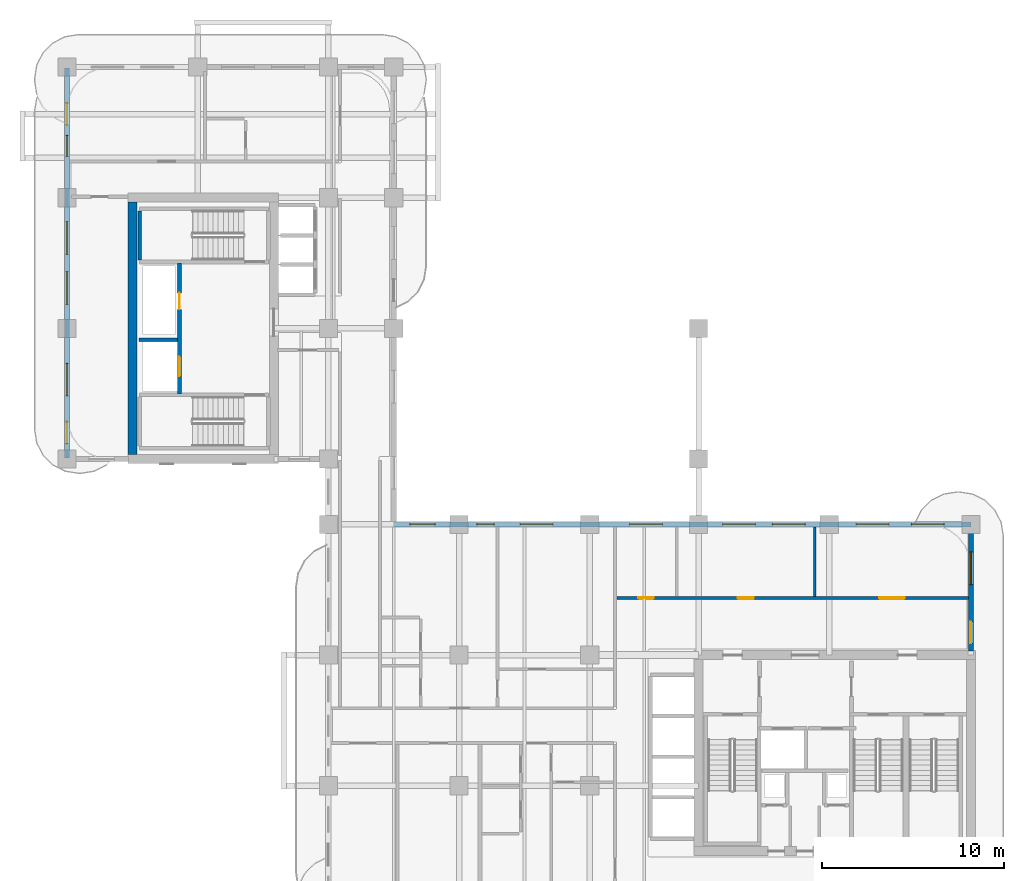
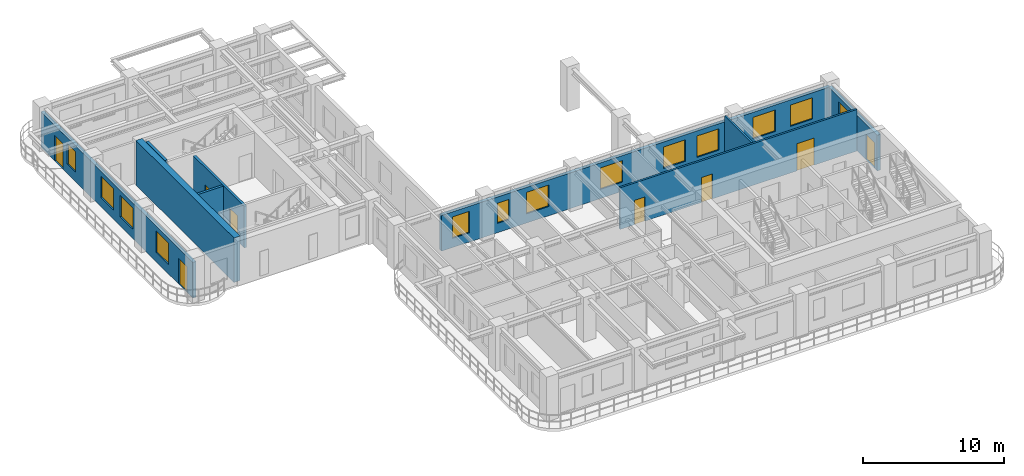
# One storey, part 7 of 14: 13 windows, 9 walls, 8 doors, 21 openings.
"""IFC4 building model written with IfcOpenShell, lengths in metres."""

from ifc_helpers import new_model, si_unit, derived_unit, direction, frame, frame_2d, origin, place, context, subcontext, project, spatial, rectangle, extrude, source, transform, mapped, material, layer, layer_set, type_object, type_shapes, element, fill, save


model = new_model("IFC4")

# Units and contexts
model_context = context("Model", 3, precision=1e-05, world=origin(), true_north=direction((0.0, 1.0)))
body_context = subcontext(model_context, "Body", "Model", "MODEL_VIEW")
ifc_project = project(units=[si_unit("LENGTHUNIT", "METRE"), si_unit("AREAUNIT", "SQUARE_METRE"), si_unit("VOLUMEUNIT", "CUBIC_METRE"), si_unit("PLANEANGLEUNIT", "RADIAN"), si_unit("MASSUNIT", "GRAM", prefix="KILO"), si_unit("THERMODYNAMICTEMPERATUREUNIT", "KELVIN"), si_unit("POWERUNIT", "WATT"), derived_unit("THERMALTRANSMITTANCEUNIT", [(si_unit("POWERUNIT", "WATT"), 1), (si_unit("AREAUNIT", "SQUARE_METRE"), -1), (si_unit("THERMODYNAMICTEMPERATUREUNIT", "KELVIN"), -1)])], contexts=[model_context])

# Site, building, storey
site_placement = place(None, origin())
site = spatial("IfcSite", under=ifc_project, at=site_placement, CompositionType="ELEMENT")
building_placement = place(site_placement, origin())
building = spatial("IfcBuilding", under=site, at=building_placement, Name="Zahravan Archway Hotel and Residences", CompositionType="ELEMENT")
storey_placement = place(building_placement, frame((0.0, 0.0, 188.800048828125)))
storey = spatial("IfcBuildingStorey", under=building, at=storey_placement, Name="L47", CompositionType="ELEMENT", Elevation=188.800048828125)

# Wall
ifc_material_1 = material(Name="Concrete C60/75", Category="concrete")
ifc_layer_1 = layer(ifc_material_1, 0.5, Name="Concrete C60/75", Category="concrete")
ifc_layer_set_1 = layer_set([ifc_layer_1], Name="Concrete C60/75")
wall_type_1 = type_object("IfcWallType", Name="CW-CORE-500", PredefinedType="SHEAR", material=ifc_layer_set_1)
wall_1_placement = place(storey_placement, frame((3.60009765625, 25.449951171875, 0.0), z_axis=(0.0, 0.0, 1.0), x_axis=(0.0, 1.0, 0.0)))
element("IfcWall", 1, at=wall_1_placement, inside=storey, type_object=wall_type_1, Name="L47 Core B Shear W Wall 500 mm", PredefinedType="SHEAR", context=body_context, shape_type="SweptSolid", body=[
    extrude(rectangle(XDim=13.900146484375, YDim=0.5, at=frame_2d((6.9501953125, 0.0))), origin(), (0.0, 0.0, 1.0), 3.849853515625),
])

# Wall, openings, door, window
ifc_material_2 = material(Name="Honed Red-Ochre Sandstone & Insulated Block", Category="masonry")
ifc_layer_2 = layer(ifc_material_2, 0.280029296875, Name="Honed Red-Ochre Sandstone & Insulated Block", Category="masonry")
ifc_layer_set_2 = layer_set([ifc_layer_2], Name="Honed Red-Ochre Sandstone & Insulated Block")
wall_type_2 = type_object("IfcWallType", Name="EW-LOG-280", PredefinedType="SOLIDWALL", material=ifc_layer_set_2)
wall_2_placement = place(storey_placement, frame((49.800048828125, 14.6201171875, 0.0), z_axis=(0.0, 0.0, 1.0), x_axis=(0.0, 1.0, 0.0)))
wall_2 = element("IfcWall", 2, at=wall_2_placement, inside=storey, type_object=wall_type_2, Name="L47 Exterior Sandstone Wall WA-EN", PredefinedType="SOLIDWALL", context=body_context, shape_type="SweptSolid", body=[
    extrude(rectangle(XDim=6.929931640625, YDim=0.280029296875, at=frame_2d((3.46484375, 0.0))), origin(), (0.0, 0.0, 1.0), 3.0849609375),
])
opening_1_placement = place(wall_2_placement, frame((0.419921875, 0.0, 0.0)))
opening_1 = element("IfcOpeningElement", 3, at=opening_1_placement, cuts=wall_2, Name="Opening ED-BL1", PredefinedType="OPENING", context=body_context, shape_type="SweptSolid", body=[
    extrude(rectangle(XDim=1.199951171875, YDim=2.199951171875, at=frame_2d((0.60009765625, 1.10009765625))), frame((0.0, 0.14990234375, 0.0), z_axis=(0.0, -1.0, 0.0), x_axis=(1.0, 0.0, 0.0)), (0.0, 0.0, 1.0), 0.300048828125),
])
opening_2_placement = place(wall_2_placement, frame((3.658935546875, 0.0, 0.800048828125)))
opening_2 = element("IfcOpeningElement", 4, at=opening_2_placement, cuts=wall_2, Name="Opening W-02", PredefinedType="OPENING", context=body_context, shape_type="SweptSolid", body=[
    extrude(rectangle(XDim=1.800048828125, YDim=1.85009765625, at=frame_2d((0.89990234375, 0.925048828125))), frame((0.0, 0.14990234375, 0.0), z_axis=(0.0, -1.0, 0.0), x_axis=(1.0, 0.0, 0.0)), (0.0, 0.0, 1.0), 0.300048828125),
])
ifc_material_3 = material(Name="Bronze-Anodized Glazed Aluminium", Category="aluminium")
door_type_1 = type_object("IfcDoorType", Name="ED-BALC-1200", OperationType="SLIDING_TO_LEFT", PredefinedType="DOOR", material=ifc_material_3)
shared_shape_1 = source(origin(), body_context, "Body", "SweptSolid", [
    extrude(rectangle(XDim=1.199951171875, YDim=2.199951171875, at=frame_2d((0.60009765625, 1.10009765625))), frame((0.0, 0.02490234375, 0.0), z_axis=(0.0, -1.0, 0.0), x_axis=(1.0, 0.0, 0.0)), (0.0, 0.0, 1.0), 0.050048828125),
])
type_shapes(door_type_1, [shared_shape_1])
door_1_placement = place(opening_1_placement, origin())
door_1 = element("IfcDoor", 5, at=door_1_placement, inside=storey, type_object=door_type_1, Name="L47 Outdoor Access Sliding Door (SLB-BAL-L47-EA)", OperationType="SLIDING_TO_LEFT", OverallHeight=2.199951171875, OverallWidth=1.199951171875, PredefinedType="DOOR", context=body_context, shape_type="MappedRepresentation", body=[
    mapped(shared_shape_1, transform((0.0, 0.0, 0.0), scale=1.0)),
])
fill(opening_1, door_1)
ifc_material_4 = material(Name="Bronze-Anodized Thermal-Break Aluminium & Low-E Glass", Category="aluminium")
window_type_1 = type_object("IfcWindowType", Name="WIN-TWR-1800", PartitioningType="DOUBLE_PANEL_VERTICAL", PredefinedType="WINDOW", material=ifc_material_4)
shared_shape_2 = source(origin(), body_context, "Body", "SweptSolid", [
    extrude(rectangle(XDim=1.800048828125, YDim=1.85009765625, at=frame_2d((0.89990234375, 0.925048828125))), frame((0.0, 0.030029296875, 0.0), z_axis=(0.0, -1.0, 0.0), x_axis=(1.0, 0.0, 0.0)), (0.0, 0.0, 1.0), 0.06005859375),
])
type_shapes(window_type_1, [shared_shape_2])
window_1_placement = place(opening_2_placement, origin())
window_1 = element("IfcWindow", 6, at=window_1_placement, inside=storey, type_object=window_type_1, Name="L47 Loggia Window 10", OverallHeight=1.85009765625, OverallWidth=1.800048828125, PartitioningType="DOUBLE_PANEL_VERTICAL", PredefinedType="WINDOW", context=body_context, shape_type="MappedRepresentation", body=[
    mapped(shared_shape_2, transform((0.0, 0.0, 0.0), scale=1.0)),
])
fill(opening_2, window_1)

# Wall, openings, windows
wall_3_placement = place(storey_placement, frame((18.0, 21.60009765625, 0.0), z_axis=(0.0, 0.0, 1.0), x_axis=(1.0, 0.0, 0.0)))
wall_3 = element("IfcWall", 7, at=wall_3_placement, inside=storey, type_object=wall_type_2, Name="L47 Exterior Sandstone Wall WA-NE", PredefinedType="SOLIDWALL", context=body_context, shape_type="SweptSolid", body=[
    extrude(rectangle(XDim=31.800048828125, YDim=0.280029296875, at=frame_2d((15.89990234375, 0.0))), origin(), (0.0, 0.0, 1.0), 3.0849609375),
])
opening_3_placement = place(wall_3_placement, frame((0.885009765625, 0.0, 0.800048828125)))
opening_3 = element("IfcOpeningElement", 8, at=opening_3_placement, cuts=wall_3, Name="Opening W-03", PredefinedType="OPENING", context=body_context, shape_type="SweptSolid", body=[
    extrude(rectangle(XDim=1.39990234375, YDim=1.85009765625, at=frame_2d((0.699951171875, 0.925048828125))), frame((0.0, 0.14990234375, 0.0), z_axis=(0.0, -1.0, 0.0), x_axis=(1.0, 0.0, 0.0)), (0.0, 0.0, 1.0), 0.300048828125),
])
opening_4_placement = place(wall_3_placement, frame((4.5810546875, 0.0, 0.800048828125)))
opening_4 = element("IfcOpeningElement", 9, at=opening_4_placement, cuts=wall_3, Name="Opening W-04", PredefinedType="OPENING", context=body_context, shape_type="SweptSolid", body=[
    extrude(rectangle(XDim=0.949951171875, YDim=1.75, at=frame_2d((0.47509765625, 0.875))), frame((0.0, 0.14990234375, 0.0), z_axis=(0.0, -1.0, 0.0), x_axis=(1.0, 0.0, 0.0)), (0.0, 0.0, 1.0), 0.300048828125),
])
opening_5_placement = place(wall_3_placement, frame((6.964111328125, 0.0, 0.800048828125)))
opening_5 = element("IfcOpeningElement", 10, at=opening_5_placement, cuts=wall_3, Name="Opening W-02", PredefinedType="OPENING", context=body_context, shape_type="SweptSolid", body=[
    extrude(rectangle(XDim=1.800048828125, YDim=1.85009765625, at=frame_2d((0.89990234375, 0.925048828125))), frame((0.0, 0.14990234375, 0.0), z_axis=(0.0, -1.0, 0.0), x_axis=(1.0, 0.0, 0.0)), (0.0, 0.0, 1.0), 0.300048828125),
])
opening_6_placement = place(wall_3_placement, frame((13.0009765625, 0.0, 0.800048828125)))
opening_6 = element("IfcOpeningElement", 11, at=opening_6_placement, cuts=wall_3, Name="Opening W-02", PredefinedType="OPENING", context=body_context, shape_type="SweptSolid", body=[
    extrude(rectangle(XDim=1.800048828125, YDim=1.85009765625, at=frame_2d((0.89990234375, 0.925048828125))), frame((0.0, 0.14990234375, 0.0), z_axis=(0.0, -1.0, 0.0), x_axis=(1.0, 0.0, 0.0)), (0.0, 0.0, 1.0), 0.300048828125),
])
opening_7_placement = place(wall_3_placement, frame((18.123046875, 0.0, 0.800048828125)))
opening_7 = element("IfcOpeningElement", 12, at=opening_7_placement, cuts=wall_3, Name="Opening W-02", PredefinedType="OPENING", context=body_context, shape_type="SweptSolid", body=[
    extrude(rectangle(XDim=1.800048828125, YDim=1.85009765625, at=frame_2d((0.89990234375, 0.925048828125))), frame((0.0, 0.14990234375, 0.0), z_axis=(0.0, -1.0, 0.0), x_axis=(1.0, 0.0, 0.0)), (0.0, 0.0, 1.0), 0.300048828125),
])
opening_8_placement = place(wall_3_placement, frame((20.868896484375, 0.0, 0.800048828125)))
opening_8 = element("IfcOpeningElement", 13, at=opening_8_placement, cuts=wall_3, Name="Opening W-02", PredefinedType="OPENING", context=body_context, shape_type="SweptSolid", body=[
    extrude(rectangle(XDim=1.800048828125, YDim=1.85009765625, at=frame_2d((0.89990234375, 0.925048828125))), frame((0.0, 0.14990234375, 0.0), z_axis=(0.0, -1.0, 0.0), x_axis=(1.0, 0.0, 0.0)), (0.0, 0.0, 1.0), 0.300048828125),
])
opening_9_placement = place(wall_3_placement, frame((25.47509765625, 0.0, 0.800048828125)))
opening_9 = element("IfcOpeningElement", 14, at=opening_9_placement, cuts=wall_3, Name="Opening W-02", PredefinedType="OPENING", context=body_context, shape_type="SweptSolid", body=[
    extrude(rectangle(XDim=1.800048828125, YDim=1.85009765625, at=frame_2d((0.89990234375, 0.925048828125))), frame((0.0, 0.14990234375, 0.0), z_axis=(0.0, -1.0, 0.0), x_axis=(1.0, 0.0, 0.0)), (0.0, 0.0, 1.0), 0.300048828125),
])
opening_10_placement = place(wall_3_placement, frame((28.52490234375, 0.0, 0.800048828125)))
opening_10 = element("IfcOpeningElement", 15, at=opening_10_placement, cuts=wall_3, Name="Opening W-02", PredefinedType="OPENING", context=body_context, shape_type="SweptSolid", body=[
    extrude(rectangle(XDim=1.800048828125, YDim=1.85009765625, at=frame_2d((0.89990234375, 0.925048828125))), frame((0.0, 0.14990234375, 0.0), z_axis=(0.0, -1.0, 0.0), x_axis=(1.0, 0.0, 0.0)), (0.0, 0.0, 1.0), 0.300048828125),
])
window_type_2 = type_object("IfcWindowType", Name="WIN-TWR-1400", PartitioningType="SINGLE_PANEL", PredefinedType="WINDOW", material=ifc_material_4)
shared_shape_3 = source(origin(), body_context, "Body", "SweptSolid", [
    extrude(rectangle(XDim=1.39990234375, YDim=1.85009765625, at=frame_2d((0.699951171875, 0.925048828125))), frame((0.0, 0.030029296875, 0.0), z_axis=(0.0, -1.0, 0.0), x_axis=(1.0, 0.0, 0.0)), (0.0, 0.0, 1.0), 0.06005859375),
])
type_shapes(window_type_2, [shared_shape_3])
window_2_placement = place(opening_3_placement, origin())
window_2 = element("IfcWindow", 16, at=window_2_placement, inside=storey, type_object=window_type_2, Name="L47 Loggia Window 11", OverallHeight=1.85009765625, OverallWidth=1.39990234375, PartitioningType="SINGLE_PANEL", PredefinedType="WINDOW", context=body_context, shape_type="MappedRepresentation", body=[
    mapped(shared_shape_3, transform((0.0, 0.0, 0.0), scale=1.0)),
])
fill(opening_3, window_2)
window_type_3 = type_object("IfcWindowType", Name="WIN-NAR-950", PartitioningType="SINGLE_PANEL", PredefinedType="WINDOW", material=ifc_material_4)
shared_shape_4 = source(origin(), body_context, "Body", "SweptSolid", [
    extrude(rectangle(XDim=0.949951171875, YDim=1.75, at=frame_2d((0.47509765625, 0.875))), frame((0.0, 0.030029296875, 0.0), z_axis=(0.0, -1.0, 0.0), x_axis=(1.0, 0.0, 0.0)), (0.0, 0.0, 1.0), 0.06005859375),
])
type_shapes(window_type_3, [shared_shape_4])
window_3_placement = place(opening_4_placement, origin())
window_3 = element("IfcWindow", 17, at=window_3_placement, inside=storey, type_object=window_type_3, Name="L47 Loggia Window 12", OverallHeight=1.75, OverallWidth=0.949951171875, PartitioningType="SINGLE_PANEL", PredefinedType="WINDOW", context=body_context, shape_type="MappedRepresentation", body=[
    mapped(shared_shape_4, transform((0.0, 0.0, 0.0), scale=1.0)),
])
fill(opening_4, window_3)
window_4_placement = place(opening_5_placement, origin())
window_4 = element("IfcWindow", 18, at=window_4_placement, inside=storey, type_object=window_type_1, Name="L47 Loggia Window 13", OverallHeight=1.85009765625, OverallWidth=1.800048828125, PartitioningType="DOUBLE_PANEL_VERTICAL", PredefinedType="WINDOW", context=body_context, shape_type="MappedRepresentation", body=[
    mapped(shared_shape_2, transform((0.0, 0.0, 0.0), scale=1.0)),
])
fill(opening_5, window_4)
window_5_placement = place(opening_6_placement, origin())
window_5 = element("IfcWindow", 19, at=window_5_placement, inside=storey, type_object=window_type_1, Name="L47 Loggia Window 14", OverallHeight=1.85009765625, OverallWidth=1.800048828125, PartitioningType="DOUBLE_PANEL_VERTICAL", PredefinedType="WINDOW", context=body_context, shape_type="MappedRepresentation", body=[
    mapped(shared_shape_2, transform((0.0, 0.0, 0.0), scale=1.0)),
])
fill(opening_6, window_5)
window_6_placement = place(opening_7_placement, origin())
window_6 = element("IfcWindow", 20, at=window_6_placement, inside=storey, type_object=window_type_1, Name="L47 Loggia Window 15", OverallHeight=1.85009765625, OverallWidth=1.800048828125, PartitioningType="DOUBLE_PANEL_VERTICAL", PredefinedType="WINDOW", context=body_context, shape_type="MappedRepresentation", body=[
    mapped(shared_shape_2, transform((0.0, 0.0, 0.0), scale=1.0)),
])
fill(opening_7, window_6)
window_7_placement = place(opening_8_placement, origin())
window_7 = element("IfcWindow", 21, at=window_7_placement, inside=storey, type_object=window_type_1, Name="L47 Loggia Window 16", OverallHeight=1.85009765625, OverallWidth=1.800048828125, PartitioningType="DOUBLE_PANEL_VERTICAL", PredefinedType="WINDOW", context=body_context, shape_type="MappedRepresentation", body=[
    mapped(shared_shape_2, transform((0.0, 0.0, 0.0), scale=1.0)),
])
fill(opening_8, window_7)
window_8_placement = place(opening_9_placement, origin())
window_8 = element("IfcWindow", 22, at=window_8_placement, inside=storey, type_object=window_type_1, Name="L47 Loggia Window 17", OverallHeight=1.85009765625, OverallWidth=1.800048828125, PartitioningType="DOUBLE_PANEL_VERTICAL", PredefinedType="WINDOW", context=body_context, shape_type="MappedRepresentation", body=[
    mapped(shared_shape_2, transform((0.0, 0.0, 0.0), scale=1.0)),
])
fill(opening_9, window_8)
window_9_placement = place(opening_10_placement, origin())
window_9 = element("IfcWindow", 23, at=window_9_placement, inside=storey, type_object=window_type_1, Name="L47 Loggia Window 18", OverallHeight=1.85009765625, OverallWidth=1.800048828125, PartitioningType="DOUBLE_PANEL_VERTICAL", PredefinedType="WINDOW", context=body_context, shape_type="MappedRepresentation", body=[
    mapped(shared_shape_2, transform((0.0, 0.0, 0.0), scale=1.0)),
])
fill(opening_10, window_9)

# Wall, openings, doors, windows
wall_4_placement = place(storey_placement, frame((0.0, 25.25, 0.0), z_axis=(0.0, 0.0, 1.0), x_axis=(0.0, 1.0, 0.0)))
wall_4 = element("IfcWall", 24, at=wall_4_placement, inside=storey, type_object=wall_type_2, Name="L47 Exterior Sandstone Wall WB-W", PredefinedType="SOLIDWALL", context=body_context, shape_type="SweptSolid", body=[
    extrude(rectangle(XDim=21.5, YDim=0.280029296875, at=frame_2d((10.75, 0.0))), origin(), (0.0, 0.0, 1.0), 3.0849609375),
])
opening_11_placement = place(wall_4_placement, frame((18.35693359375, 0.0, 0.0)))
opening_11 = element("IfcOpeningElement", 25, at=opening_11_placement, cuts=wall_4, Name="Opening ED-BL1", PredefinedType="OPENING", context=body_context, shape_type="SweptSolid", body=[
    extrude(rectangle(XDim=1.199951171875, YDim=2.199951171875, at=frame_2d((0.60009765625, 1.10009765625))), frame((0.0, 0.14990234375, 0.0), z_axis=(0.0, -1.0, 0.0), x_axis=(1.0, 0.0, 0.0)), (0.0, 0.0, 1.0), 0.300048828125),
])
opening_12_placement = place(wall_4_placement, frame((0.800048828125, 0.0, 0.0)))
opening_12 = element("IfcOpeningElement", 26, at=opening_12_placement, cuts=wall_4, Name="Opening ED-BL1", PredefinedType="OPENING", context=body_context, shape_type="SweptSolid", body=[
    extrude(rectangle(XDim=1.199951171875, YDim=2.199951171875, at=frame_2d((0.60009765625, 1.10009765625))), frame((0.0, 0.14990234375, 0.0), z_axis=(0.0, -1.0, 0.0), x_axis=(1.0, 0.0, 0.0)), (0.0, 0.0, 1.0), 0.300048828125),
])
opening_13_placement = place(wall_4_placement, frame((3.425048828125, 0.0, 0.800048828125)))
opening_13 = element("IfcOpeningElement", 27, at=opening_13_placement, cuts=wall_4, Name="Opening W-02", PredefinedType="OPENING", context=body_context, shape_type="SweptSolid", body=[
    extrude(rectangle(XDim=1.800048828125, YDim=1.85009765625, at=frame_2d((0.89990234375, 0.925048828125))), frame((0.0, 0.14990234375, 0.0), z_axis=(0.0, -1.0, 0.0), x_axis=(1.0, 0.0, 0.0)), (0.0, 0.0, 1.0), 0.300048828125),
])
opening_14_placement = place(wall_4_placement, frame((8.47509765625, 0.0, 0.800048828125)))
opening_14 = element("IfcOpeningElement", 28, at=opening_14_placement, cuts=wall_4, Name="Opening W-02", PredefinedType="OPENING", context=body_context, shape_type="SweptSolid", body=[
    extrude(rectangle(XDim=1.800048828125, YDim=1.85009765625, at=frame_2d((0.89990234375, 0.925048828125))), frame((0.0, 0.14990234375, 0.0), z_axis=(0.0, -1.0, 0.0), x_axis=(1.0, 0.0, 0.0)), (0.0, 0.0, 1.0), 0.300048828125),
])
opening_15_placement = place(wall_4_placement, frame((11.22509765625, 0.0, 0.800048828125)))
opening_15 = element("IfcOpeningElement", 29, at=opening_15_placement, cuts=wall_4, Name="Opening W-02", PredefinedType="OPENING", context=body_context, shape_type="SweptSolid", body=[
    extrude(rectangle(XDim=1.800048828125, YDim=1.85009765625, at=frame_2d((0.89990234375, 0.925048828125))), frame((0.0, 0.14990234375, 0.0), z_axis=(0.0, -1.0, 0.0), x_axis=(1.0, 0.0, 0.0)), (0.0, 0.0, 1.0), 0.300048828125),
])
opening_16_placement = place(wall_4_placement, frame((16.632080078125, 0.0, 0.800048828125)))
opening_16 = element("IfcOpeningElement", 30, at=opening_16_placement, cuts=wall_4, Name="Opening W-05", PredefinedType="OPENING", context=body_context, shape_type="SweptSolid", body=[
    extrude(rectangle(XDim=1.14990234375, YDim=1.800048828125, at=frame_2d((0.574951171875, 0.89990234375))), frame((0.0, 0.14990234375, 0.0), z_axis=(0.0, -1.0, 0.0), x_axis=(1.0, 0.0, 0.0)), (0.0, 0.0, 1.0), 0.300048828125),
])
door_2_placement = place(opening_11_placement, origin())
door_2 = element("IfcDoor", 31, at=door_2_placement, inside=storey, type_object=door_type_1, Name="L47 Outdoor Access Sliding Door (SLB-BAL-L47-NB)", OperationType="SLIDING_TO_LEFT", OverallHeight=2.199951171875, OverallWidth=1.199951171875, PredefinedType="DOOR", context=body_context, shape_type="MappedRepresentation", body=[
    mapped(shared_shape_1, transform((0.0, 0.0, 0.0), scale=1.0)),
])
fill(opening_11, door_2)
door_3_placement = place(opening_12_placement, origin())
door_3 = element("IfcDoor", 32, at=door_3_placement, inside=storey, type_object=door_type_1, Name="L47 Outdoor Access Sliding Door (SLB-BAL-L47-WB)", OperationType="SLIDING_TO_LEFT", OverallHeight=2.199951171875, OverallWidth=1.199951171875, PredefinedType="DOOR", context=body_context, shape_type="MappedRepresentation", body=[
    mapped(shared_shape_1, transform((0.0, 0.0, 0.0), scale=1.0)),
])
fill(opening_12, door_3)
window_10_placement = place(opening_13_placement, origin())
window_10 = element("IfcWindow", 33, at=window_10_placement, inside=storey, type_object=window_type_1, Name="L47 Loggia Window 29", OverallHeight=1.85009765625, OverallWidth=1.800048828125, PartitioningType="DOUBLE_PANEL_VERTICAL", PredefinedType="WINDOW", context=body_context, shape_type="MappedRepresentation", body=[
    mapped(shared_shape_2, transform((0.0, 0.0, 0.0), scale=1.0)),
])
fill(opening_13, window_10)
window_11_placement = place(opening_14_placement, origin())
window_11 = element("IfcWindow", 34, at=window_11_placement, inside=storey, type_object=window_type_1, Name="L47 Loggia Window 30", OverallHeight=1.85009765625, OverallWidth=1.800048828125, PartitioningType="DOUBLE_PANEL_VERTICAL", PredefinedType="WINDOW", context=body_context, shape_type="MappedRepresentation", body=[
    mapped(shared_shape_2, transform((0.0, 0.0, 0.0), scale=1.0)),
])
fill(opening_14, window_11)
window_12_placement = place(opening_15_placement, origin())
window_12 = element("IfcWindow", 35, at=window_12_placement, inside=storey, type_object=window_type_1, Name="L47 Loggia Window 31", OverallHeight=1.85009765625, OverallWidth=1.800048828125, PartitioningType="DOUBLE_PANEL_VERTICAL", PredefinedType="WINDOW", context=body_context, shape_type="MappedRepresentation", body=[
    mapped(shared_shape_2, transform((0.0, 0.0, 0.0), scale=1.0)),
])
fill(opening_15, window_12)
window_type_4 = type_object("IfcWindowType", Name="WIN-TWR-1150", PartitioningType="SINGLE_PANEL", PredefinedType="WINDOW", material=ifc_material_4)
shared_shape_5 = source(origin(), body_context, "Body", "SweptSolid", [
    extrude(rectangle(XDim=1.14990234375, YDim=1.800048828125, at=frame_2d((0.574951171875, 0.89990234375))), frame((0.0, 0.030029296875, 0.0), z_axis=(0.0, -1.0, 0.0), x_axis=(1.0, 0.0, 0.0)), (0.0, 0.0, 1.0), 0.06005859375),
])
type_shapes(window_type_4, [shared_shape_5])
window_13_placement = place(opening_16_placement, origin())
window_13 = element("IfcWindow", 36, at=window_13_placement, inside=storey, type_object=window_type_4, Name="L47 Loggia Window 32", OverallHeight=1.800048828125, OverallWidth=1.14990234375, PartitioningType="SINGLE_PANEL", PredefinedType="WINDOW", context=body_context, shape_type="MappedRepresentation", body=[
    mapped(shared_shape_5, transform((0.0, 0.0, 0.0), scale=1.0)),
])
fill(opening_16, window_13)

# Wall, openings, doors
ifc_material_5 = material(Name="Fire-Rated Gypsum & Concrete Block", Category="concrete")
ifc_layer_3 = layer(ifc_material_5, 0.159912109375, Name="Fire-Rated Gypsum & Concrete Block", Category="concrete")
ifc_layer_set_3 = layer_set([ifc_layer_3], Name="Fire-Rated Gypsum & Concrete Block")
wall_type_3 = type_object("IfcWallType", Name="PW-CORR-160", PredefinedType="PARTITIONING", material=ifc_layer_set_3)
wall_5_placement = place(storey_placement, frame((30.2900390625, 17.550048828125, 0.0), z_axis=(0.0, 0.0, 1.0), x_axis=(1.0, 0.0, 0.0)))
wall_5 = element("IfcWall", 37, at=wall_5_placement, inside=storey, type_object=wall_type_3, Name="L47 Partition WA-FN", PredefinedType="PARTITIONING", context=body_context, shape_type="SweptSolid", body=[
    extrude(rectangle(XDim=19.369873046875, YDim=0.159912109375, at=frame_2d((9.68505859375, 0.0))), origin(), (0.0, 0.0, 1.0), 3.599853515625),
])
opening_17_placement = place(wall_5_placement, frame((1.18505859375, 0.0, 0.0)))
opening_17 = element("IfcOpeningElement", 38, at=opening_17_placement, cuts=wall_5, Name="Opening D-B1", PredefinedType="OPENING", context=body_context, shape_type="SweptSolid", body=[
    extrude(rectangle(XDim=0.85009765625, YDim=2.10009765625, at=frame_2d((0.425048828125, 1.050048828125))), frame((0.0, 0.08984375, 0.0), z_axis=(0.0, -1.0, 0.0), x_axis=(1.0, 0.0, 0.0)), (0.0, 0.0, 1.0), 0.179931640625),
])
opening_18_placement = place(wall_5_placement, frame((6.659912109375, 0.0, 0.0)))
opening_18 = element("IfcOpeningElement", 39, at=opening_18_placement, cuts=wall_5, Name="Opening D-I2", PredefinedType="OPENING", context=body_context, shape_type="SweptSolid", body=[
    extrude(rectangle(XDim=0.89990234375, YDim=2.14990234375, at=frame_2d((0.449951171875, 1.074951171875))), frame((0.0, 0.08984375, 0.0), z_axis=(0.0, -1.0, 0.0), x_axis=(1.0, 0.0, 0.0)), (0.0, 0.0, 1.0), 0.179931640625),
])
opening_19_placement = place(wall_5_placement, frame((14.4599609375, 0.0, 0.0)))
opening_19 = element("IfcOpeningElement", 40, at=opening_19_placement, cuts=wall_5, Name="Opening D-P1", PredefinedType="OPENING", context=body_context, shape_type="SweptSolid", body=[
    extrude(rectangle(XDim=1.39990234375, YDim=2.35009765625, at=frame_2d((0.699951171875, 1.175048828125))), frame((0.0, 0.08984375, 0.0), z_axis=(0.0, -1.0, 0.0), x_axis=(1.0, 0.0, 0.0)), (0.0, 0.0, 1.0), 0.179931640625),
])
ifc_material_6 = material(Name="Hardwood Veneer Timber", Category="wood")
door_type_2 = type_object("IfcDoorType", Name="ID-BATH-850", OperationType="NOTDEFINED", PredefinedType="DOOR", material=ifc_material_6)
shared_shape_6 = source(origin(), body_context, "Body", "SweptSolid", [
    extrude(rectangle(XDim=0.85009765625, YDim=2.10009765625, at=frame_2d((0.425048828125, 1.050048828125))), frame((0.0, 0.02490234375, 0.0), z_axis=(0.0, -1.0, 0.0), x_axis=(1.0, 0.0, 0.0)), (0.0, 0.0, 1.0), 0.050048828125),
])
type_shapes(door_type_2, [shared_shape_6])
door_4_placement = place(opening_17_placement, origin())
door_4 = element("IfcDoor", 41, at=door_4_placement, inside=storey, type_object=door_type_2, Name="L47 Accessible Floor Restroom Door", OperationType="SINGLE_SWING_RIGHT", OverallHeight=2.10009765625, OverallWidth=0.85009765625, PredefinedType="DOOR", context=body_context, shape_type="MappedRepresentation", body=[
    mapped(shared_shape_6, transform((0.0, 0.0, 0.0), scale=1.0)),
])
fill(opening_17, door_4)
door_type_3 = type_object("IfcDoorType", Name="ID-PUBLIC-1400", OperationType="DOUBLE_DOOR_SINGLE_SWING", PredefinedType="DOOR", material=ifc_material_3)
shared_shape_7 = source(origin(), body_context, "Body", "SweptSolid", [
    extrude(rectangle(XDim=1.39990234375, YDim=2.35009765625, at=frame_2d((0.699951171875, 1.175048828125))), frame((0.0, 0.02490234375, 0.0), z_axis=(0.0, -1.0, 0.0), x_axis=(1.0, 0.0, 0.0)), (0.0, 0.0, 1.0), 0.050048828125),
])
type_shapes(door_type_3, [shared_shape_7])
door_5_placement = place(opening_19_placement, origin())
door_5 = element("IfcDoor", 42, at=door_5_placement, inside=storey, type_object=door_type_3, Name="L47 Co-Working Room Door", OperationType="DOUBLE_DOOR_SINGLE_SWING", OverallHeight=2.35009765625, OverallWidth=1.39990234375, PredefinedType="DOOR", context=body_context, shape_type="MappedRepresentation", body=[
    mapped(shared_shape_7, transform((0.0, 0.0, 0.0), scale=1.0)),
])
fill(opening_19, door_5)
door_type_4 = type_object("IfcDoorType", Name="ID-INT-900", OperationType="NOTDEFINED", PredefinedType="DOOR", material=ifc_material_6)
shared_shape_8 = source(origin(), body_context, "Body", "SweptSolid", [
    extrude(rectangle(XDim=0.89990234375, YDim=2.14990234375, at=frame_2d((0.449951171875, 1.074951171875))), frame((0.0, 0.02490234375, 0.0), z_axis=(0.0, -1.0, 0.0), x_axis=(1.0, 0.0, 0.0)), (0.0, 0.0, 1.0), 0.050048828125),
])
type_shapes(door_type_4, [shared_shape_8])
door_6_placement = place(opening_18_placement, origin())
door_6 = element("IfcDoor", 43, at=door_6_placement, inside=storey, type_object=door_type_4, Name="L47 Tea Servery Door", OperationType="SINGLE_SWING_LEFT", OverallHeight=2.14990234375, OverallWidth=0.89990234375, PredefinedType="DOOR", context=body_context, shape_type="MappedRepresentation", body=[
    mapped(shared_shape_8, transform((0.0, 0.0, 0.0), scale=1.0)),
])
fill(opening_18, door_6)

ifc_layer_4 = layer(ifc_material_5, 0.199951171875, Name="Fire-Rated Gypsum & Concrete Block", Category="concrete")
ifc_layer_set_4 = layer_set([ifc_layer_4], Name="Fire-Rated Gypsum & Concrete Block")
wall_type_4 = type_object("IfcWallType", Name="PW-SHAFT-200", PredefinedType="PARTITIONING", material=ifc_layer_set_4)
wall_6_placement = place(storey_placement, frame((6.199951171875, 28.7900390625, 0.0), z_axis=(0.0, 0.0, 1.0), x_axis=(0.0, 1.0, 0.0)))
wall_6 = element("IfcWall", 44, at=wall_6_placement, inside=storey, type_object=wall_type_4, Name="L47 Partition CB-FL3E", PredefinedType="PARTITIONING", context=body_context, shape_type="SweptSolid", body=[
    extrude(rectangle(XDim=7.219970703125, YDim=0.199951171875, at=frame_2d((3.60986328125, 0.0))), origin(), (0.0, 0.0, 1.0), 3.599853515625),
])
opening_20_placement = place(wall_6_placement, frame((4.659912109375, 0.0, 0.0)))
opening_20 = element("IfcOpeningElement", 45, at=opening_20_placement, cuts=wall_6, Name="Opening FD-R1", PredefinedType="OPENING", context=body_context, shape_type="SweptSolid", body=[
    extrude(rectangle(XDim=0.89990234375, YDim=2.10009765625, at=frame_2d((0.449951171875, 1.050048828125))), frame((0.0, 0.10986328125, 0.0), z_axis=(0.0, -1.0, 0.0), x_axis=(1.0, 0.0, 0.0)), (0.0, 0.0, 1.0), 0.219970703125),
])
opening_21_placement = place(wall_6_placement, frame((0.9599609375, 0.0, 0.0)))
opening_21 = element("IfcOpeningElement", 46, at=opening_21_placement, cuts=wall_6, Name="Opening LD", PredefinedType="OPENING", context=body_context, shape_type="SweptSolid", body=[
    extrude(rectangle(XDim=1.10009765625, YDim=2.199951171875, at=frame_2d((0.550048828125, 1.10009765625))), frame((0.0, 0.10986328125, 0.0), z_axis=(0.0, -1.0, 0.0), x_axis=(1.0, 0.0, 0.0)), (0.0, 0.0, 1.0), 0.219970703125),
])
ifc_material_7 = material(Name="Fire-Rated Painted Steel", Category="steel")
door_type_5 = type_object("IfcDoorType", Name="FD-RISER-900", OperationType="NOTDEFINED", PredefinedType="DOOR", material=ifc_material_7)
shared_shape_9 = source(origin(), body_context, "Body", "SweptSolid", [
    extrude(rectangle(XDim=0.89990234375, YDim=2.10009765625, at=frame_2d((0.449951171875, 1.050048828125))), frame((0.0, 0.02490234375, 0.0), z_axis=(0.0, -1.0, 0.0), x_axis=(1.0, 0.0, 0.0)), (0.0, 0.0, 1.0), 0.050048828125),
])
type_shapes(door_type_5, [shared_shape_9])
door_7_placement = place(opening_20_placement, origin())
door_7 = element("IfcDoor", 47, at=door_7_placement, inside=storey, type_object=door_type_5, Name="L47 Core B Riser Door", OperationType="SINGLE_SWING_LEFT", OverallHeight=2.10009765625, OverallWidth=0.89990234375, PredefinedType="DOOR", context=body_context, shape_type="MappedRepresentation", body=[
    mapped(shared_shape_9, transform((0.0, 0.0, 0.0), scale=1.0)),
])
fill(opening_20, door_7)
ifc_material_8 = material(Name="Brushed Stainless Steel", Category="steel")
door_type_6 = type_object("IfcDoorType", Name="DR-LIFT-LD", OperationType="SLIDING_TO_LEFT", PredefinedType="DOOR", material=ifc_material_8)
shared_shape_10 = source(origin(), body_context, "Body", "SweptSolid", [
    extrude(rectangle(XDim=1.10009765625, YDim=2.199951171875, at=frame_2d((0.550048828125, 1.10009765625))), frame((0.0, 0.02490234375, 0.0), z_axis=(0.0, -1.0, 0.0), x_axis=(1.0, 0.0, 0.0)), (0.0, 0.0, 1.0), 0.050048828125),
])
type_shapes(door_type_6, [shared_shape_10])
door_8_placement = place(opening_21_placement, origin())
door_8 = element("IfcDoor", 48, at=door_8_placement, inside=storey, type_object=door_type_6, Name="L47 Lift FL-3 Sliding Landing Door", OperationType="SLIDING_TO_LEFT", OverallHeight=2.199951171875, OverallWidth=1.10009765625, PredefinedType="DOOR", context=body_context, shape_type="MappedRepresentation", body=[
    mapped(shared_shape_10, transform((0.0, 0.0, 0.0), scale=1.0)),
])
fill(opening_21, door_8)

# Walls
wall_7_placement = place(storey_placement, frame((3.9599609375, 31.780029296875, 0.0), z_axis=(0.0, 0.0, 1.0), x_axis=(1.0, 0.0, 0.0)))
element("IfcWall", 49, at=wall_7_placement, inside=storey, type_object=wall_type_4, Name="L47 Partition CB-FL3N", PredefinedType="PARTITIONING", context=body_context, shape_type="SweptSolid", body=[
    extrude(rectangle(XDim=2.130126953125, YDim=0.199951171875, at=frame_2d((1.06494140625, 0.0))), origin(), (0.0, 0.0, 1.0), 3.599853515625),
])
ifc_material_9 = material(Name="Moisture-Resistant Blockwork", Category="masonry")
ifc_layer_5 = layer(ifc_material_9, 0.139892578125, Name="Moisture-Resistant Blockwork", Category="masonry")
ifc_layer_set_5 = layer_set([ifc_layer_5], Name="Moisture-Resistant Blockwork")
wall_type_5 = type_object("IfcWallType", Name="PW-WET-140", PredefinedType="PARTITIONING", material=ifc_layer_set_5)
wall_8_placement = place(storey_placement, frame((41.199951171875, 17.639892578125, 0.0), z_axis=(0.0, 0.0, 1.0), x_axis=(0.0, 1.0, 0.0)))
element("IfcWall", 50, at=wall_8_placement, inside=storey, type_object=wall_type_5, Name="L47 Partition NE0-2", PredefinedType="PARTITIONING", context=body_context, shape_type="SweptSolid", body=[
    extrude(rectangle(XDim=3.81201171875, YDim=0.139892578125, at=frame_2d((1.906005859375, 0.0))), origin(), (0.0, 0.0, 1.0), 3.599853515625),
])
ifc_material_10 = material(Name="Concrete C50/60", Category="concrete")
ifc_layer_6 = layer(ifc_material_10, 0.199951171875, Name="Concrete C50/60", Category="concrete")
ifc_layer_set_6 = layer_set([ifc_layer_6], Name="Concrete C50/60")
wall_type_6 = type_object("IfcWallType", Name="SW-STAIR-200", PredefinedType="SHEAR", material=ifc_layer_set_6)
wall_9_placement = place(storey_placement, frame((4.0, 36.179931640625, 0.0), z_axis=(0.0, 0.0, 1.0), x_axis=(0.0, 1.0, 0.0)))
element("IfcWall", 51, at=wall_9_placement, inside=storey, type_object=wall_type_6, Name="L47 Stairwell RC Wall CB-SB2W", PredefinedType="SHEAR", context=body_context, shape_type="SweptSolid", body=[
    extrude(rectangle(XDim=2.699951171875, YDim=0.199951171875, at=frame_2d((1.35009765625, 0.0))), origin(), (0.0, 0.0, 1.0), 3.849853515625),
])

save(model, "model.ifc")
